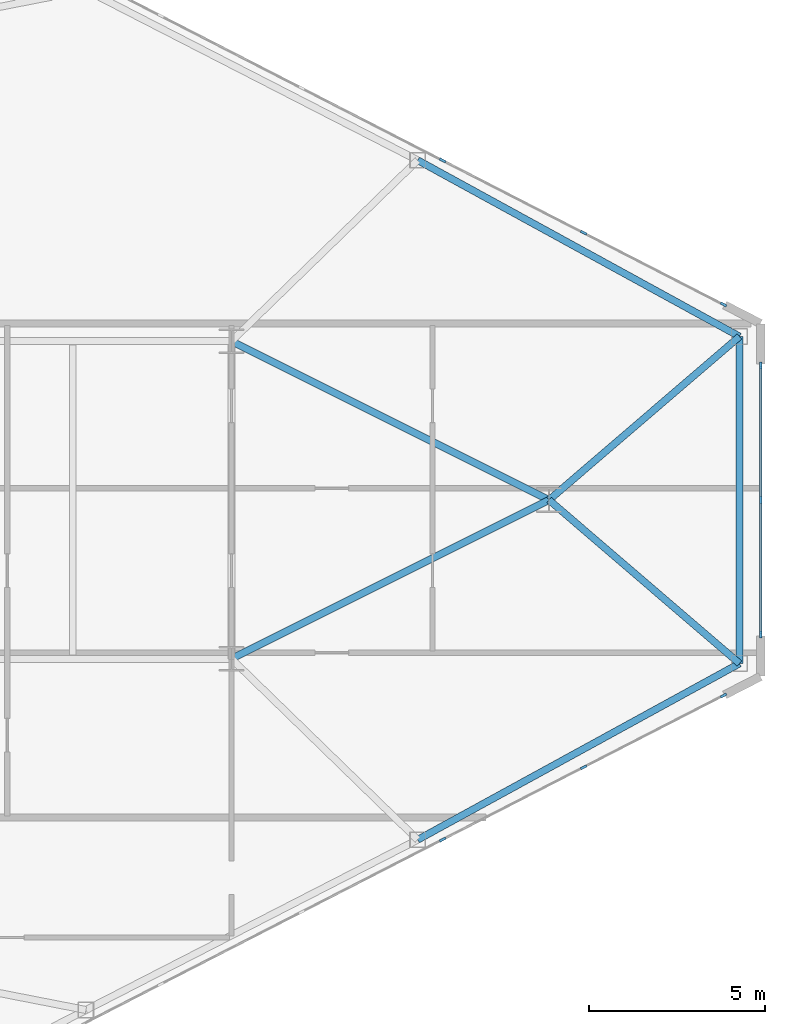
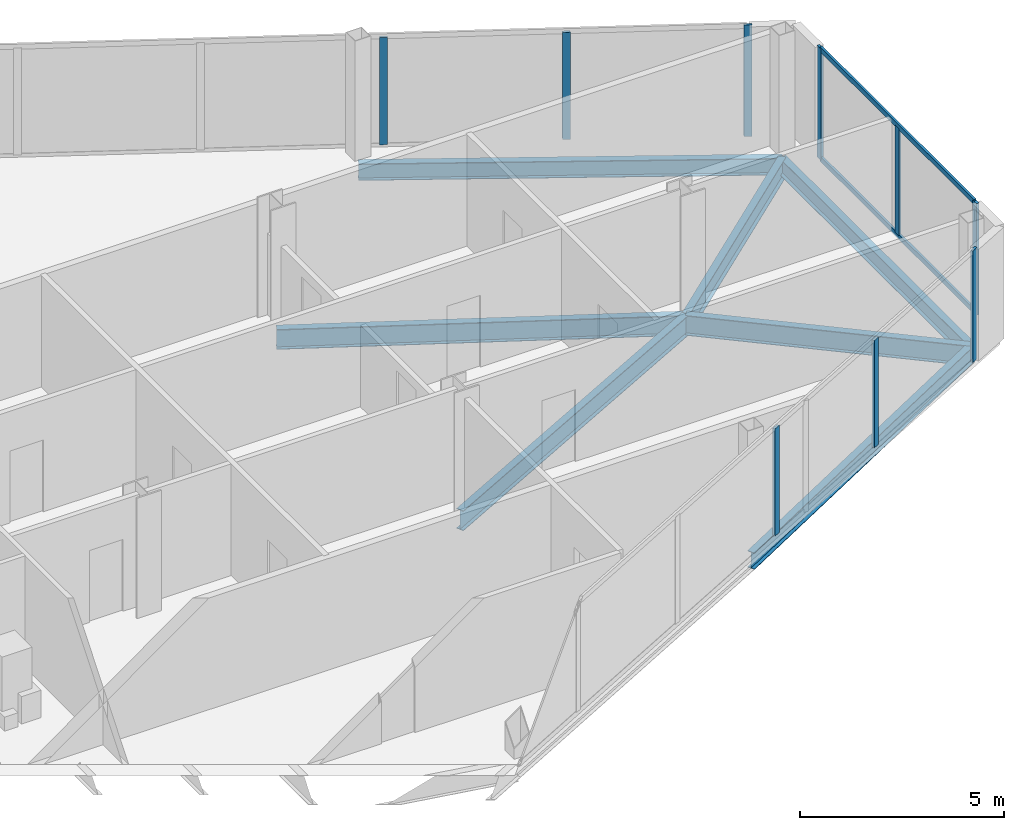
# One storey, part 13 of 23: 11 members, 7 beams, 3 elements without a shape of their own.
"""IFC4 building model written with IfcOpenShell, lengths in metres."""

from ifc_helpers import new_model, si_unit, direction, frame, origin, origin_2d, place, context, subcontext, project, spatial, rectangle, i_section, extrude, source, transform, mapped, material, layer, layer_set, material_profile, profile_set, type_object, type_shapes, element, aggregate, save


model = new_model("IFC4")

# Units and contexts
model_context = context("Model", 3, precision=1e-05, world=origin(), true_north=direction((0.0, 1.0)))
body_context = subcontext(model_context, "Body", "Model", "MODEL_VIEW")
ifc_project = project(units=[si_unit("LENGTHUNIT", "METRE"), si_unit("AREAUNIT", "SQUARE_METRE"), si_unit("VOLUMEUNIT", "CUBIC_METRE"), si_unit("PLANEANGLEUNIT", "RADIAN"), si_unit("MASSUNIT", "GRAM", prefix="KILO")], contexts=[model_context])

# Site, building, storey
site_placement = place(None, origin())
site = spatial("IfcSite", under=ifc_project, at=site_placement, CompositionType="ELEMENT")
building_placement = place(site_placement, origin())
building = spatial("IfcBuilding", under=site, at=building_placement, Name="Seokmaru Belvedere", CompositionType="ELEMENT")
storey_placement = place(building_placement, frame((0.0, 0.0, 132.0)))
storey = spatial("IfcBuildingStorey", under=building, at=storey_placement, Name="L35", CompositionType="ELEMENT", Elevation=132.0)

# Beams
ifc_material_1 = material(Name="Steel SM355 (355 MPa)", Category="steel")
ifc_material_profile_1 = material_profile(ifc_material_1, i_section(OverallWidth=0.199951171875, OverallDepth=0.60009765625, WebThickness=0.010986328125, FlangeThickness=0.01708984375, at=origin_2d()), Name="H-600x200x11x17")
ifc_profile_set_1 = profile_set([ifc_material_profile_1], Name="Steel SM355 (355 MPa)")
beam_type_1 = type_object("IfcBeamType", Name="Primary Floor Girder H-600", PredefinedType="BEAM", material=ifc_profile_set_1)
shared_shape_1 = source(origin(), body_context, "Body", "SweptSolid", [
    extrude(i_section(OverallWidth=0.199951171875, OverallDepth=0.60009765625, WebThickness=0.010986328125, FlangeThickness=0.01708984375, at=origin_2d()), origin(), (0.0, 0.0, 1.0), 10.062255859375),
])
for number, where, z_axis, x_axis, name in (
    (1, (54.5, -4.5, -0.52001953125), (0.894427191, 0.4472135955, 0.0), (-0.4472135955, 0.894427191, 0.0), "L35 E Apex Converging Girder 1"),
    (2, (54.5, 4.5, -0.52001953125), (0.894427191, -0.4472135955, 0.0), (0.4472135955, 0.894427191, 0.0), "L35 E Apex Converging Girder 2"),
):
    element("IfcBeam", number, at=place(storey_placement, frame(where, z_axis=z_axis, x_axis=x_axis)), inside=storey, type_object=beam_type_1, Name=name, PredefinedType="BEAM", context=body_context, shape_type="MappedRepresentation", body=[
        mapped(shared_shape_1, transform((0.0, 0.0, 0.0), scale=1.0)),
    ])
ifc_material_profile_2 = material_profile(ifc_material_1, i_section(OverallWidth=0.199951171875, OverallDepth=0.5, WebThickness=0.010009765625, FlangeThickness=0.01611328125, at=origin_2d()), Name="H-500x200x10x16")
ifc_profile_set_2 = profile_set([ifc_material_profile_2], Name="Steel SM355 (355 MPa)")
beam_type_2 = type_object("IfcBeamType", Name="Perimeter Spandrel Beam H-500", PredefinedType="SPANDREL", material=ifc_profile_set_2)
shared_shape_2 = source(origin(), body_context, "Body", "SweptSolid", [
    extrude(i_section(OverallWidth=0.199951171875, OverallDepth=0.5, WebThickness=0.010009765625, FlangeThickness=0.01611328125, at=origin_2d()), origin(), (0.0, 0.0, 1.0), 10.399658203125),
])
for number, where, z_axis, x_axis, name in (
    (3, (59.778564453125, -9.62890625, -0.469970703125), (0.877082374422, 0.480339992587, 0.0), (-0.480339992587, 0.877082374422, 0.0), "L35 E Faceted Flank Spandrel S-4"),
    (4, (59.778564453125, 9.62890625, -0.469970703125), (0.877082374422, -0.480339992587, 0.0), (0.480339992587, 0.877082374422, 0.0), "L35 E Faceted Flank Spandrel N-4"),
):
    element("IfcBeam", number, at=place(storey_placement, frame(where, z_axis=z_axis, x_axis=x_axis)), inside=storey, type_object=beam_type_2, Name=name, PredefinedType="SPANDREL", context=body_context, shape_type="MappedRepresentation", body=[
        mapped(shared_shape_2, transform((0.0, 0.0, 0.0), scale=1.0)),
    ])
shared_shape_3 = source(origin(), body_context, "Body", "SweptSolid", [
    extrude(i_section(OverallWidth=0.199951171875, OverallDepth=0.5, WebThickness=0.010009765625, FlangeThickness=0.01611328125, at=origin_2d()), origin(), (0.0, 0.0, 1.0), 9.26708984375),
])
type_shapes(beam_type_2, [shared_shape_2, shared_shape_3])
beam_placement = place(storey_placement, frame((68.89990234375, -4.633544921875, -0.469970703125), z_axis=(0.0, 1.0, 0.0), x_axis=(-1.0, 0.0, 0.0)))
element("IfcBeam", 5, at=beam_placement, inside=storey, type_object=beam_type_2, Name="L35 E Faceted Apex Spandrel", PredefinedType="SPANDREL", context=body_context, shape_type="MappedRepresentation", body=[
    mapped(shared_shape_3, transform((0.0, 0.0, 0.0), scale=1.0)),
])
shared_shape_4 = source(origin(), body_context, "Body", "SweptSolid", [
    extrude(i_section(OverallWidth=0.199951171875, OverallDepth=0.60009765625, WebThickness=0.010986328125, FlangeThickness=0.01708984375, at=origin_2d()), origin(), (0.0, 0.0, 1.0), 7.115478515625),
])
type_shapes(beam_type_1, [shared_shape_1, shared_shape_4])
for number, where, z_axis, x_axis, name in (
    (6, (68.89990234375, -4.633544921875, -0.52001953125), (-0.758905301881, 0.651201000289, 0.0), (-0.651201000289, -0.758905301881, 0.0), "L35 E Apex Radial Floor Girder 1"),
    (7, (68.89990234375, 4.633544921875, -0.52001953125), (-0.758905301881, -0.651201000289, 0.0), (0.651201000289, -0.758905301881, 0.0), "L35 E Apex Radial Floor Girder 2"),
):
    element("IfcBeam", number, at=place(storey_placement, frame(where, z_axis=z_axis, x_axis=x_axis)), inside=storey, type_object=beam_type_1, Name=name, PredefinedType="BEAM", context=body_context, shape_type="MappedRepresentation", body=[
        mapped(shared_shape_4, transform((0.0, 0.0, 0.0), scale=1.0)),
    ])

# Curtain wall, member
ifc_material_2 = material(Name="Bronze Triple Insulating Glass", Category="glass")
ifc_layer = layer(ifc_material_2, 0.195068359375)
ifc_layer_set = layer_set([ifc_layer], Name="Bronze Triple Insulating Glass")
curtain_wall_type = type_object("IfcCurtainWallType", Name="Sky-Lobby and Mid-Rise Curtain Wall System CW-4", PredefinedType="NOTDEFINED", material=ifc_layer_set)
curtain_wall_1_placement = place(storey_placement, origin())
curtain_wall_1 = element("IfcCurtainWall", 8, at=curtain_wall_1_placement, inside=storey, type_object=curtain_wall_type, Name="L35 Curtain Wall EF1", PredefinedType="NOTDEFINED")
ifc_material_3 = material(Name="Anodised Bronze Aluminium", Category="aluminium")
ifc_material_profile_3 = material_profile(ifc_material_3, rectangle(XDim=0.070068359375, YDim=0.195068359375, at=origin_2d()), Name="CW-M-70x195")
ifc_profile_set_3 = profile_set([ifc_material_profile_3], Name="Anodised Bronze Aluminium")
member_type_1 = type_object("IfcMemberType", Name="Bronze Unitised Mullion 70x195", PredefinedType="MULLION", material=ifc_profile_set_3)
shared_shape_5 = source(origin(), body_context, "Body", "SweptSolid", [
    extrude(rectangle(XDim=0.070068359375, YDim=0.195068359375, at=origin_2d()), origin(), (0.0, 0.0, 1.0), 3.340087890625),
])
member_1_placement = place(storey_placement, frame((68.44580078125, -5.541015625, 0.0), z_axis=(0.0, 0.0, 1.0), x_axis=(-0.456554528263, 0.889695432562, 0.0)))
member_1 = element("IfcMember", 9, at=member_1_placement, type_object=member_type_1, Name="CW:L35:EF1 Mullion 10", PredefinedType="MULLION", context=body_context, shape_type="MappedRepresentation", body=[
    mapped(shared_shape_5, transform((0.0, 0.0, 0.0), scale=1.0)),
])

# Curtain wall, members
curtain_wall_2_placement = place(storey_placement, origin())
curtain_wall_2 = element("IfcCurtainWall", 10, at=curtain_wall_2_placement, inside=storey, type_object=curtain_wall_type, Name="L35 Curtain Wall EF2", PredefinedType="NOTDEFINED")
member_2_placement = place(storey_placement, frame((69.5, -3.81494140625, 0.0), z_axis=(0.0, 0.0, 1.0), x_axis=(-1.0, 0.0, 0.0)))
member_2 = element("IfcMember", 11, at=member_2_placement, type_object=member_type_1, Name="CW:L35:EF2 Mullion 1", PredefinedType="MULLION", context=body_context, shape_type="MappedRepresentation", body=[
    mapped(shared_shape_5, transform((0.0, 0.0, 0.0), scale=1.0)),
])
member_3_placement = place(storey_placement, frame((69.5, 3.81494140625, 0.0), z_axis=(0.0, 0.0, 1.0), x_axis=(-1.0, 0.0, 0.0)))
member_3 = element("IfcMember", 12, at=member_3_placement, type_object=member_type_1, Name="CW:L35:EF2 Mullion 3", PredefinedType="MULLION", context=body_context, shape_type="MappedRepresentation", body=[
    mapped(shared_shape_5, transform((0.0, 0.0, 0.0), scale=1.0)),
])

# Curtain wall, member
curtain_wall_3_placement = place(storey_placement, origin())
curtain_wall_3 = element("IfcCurtainWall", 13, at=curtain_wall_3_placement, inside=storey, type_object=curtain_wall_type, Name="L35 Curtain Wall EF3", PredefinedType="NOTDEFINED")
member_4_placement = place(storey_placement, frame((68.44580078125, 5.541015625, 0.0), z_axis=(0.0, 0.0, 1.0), x_axis=(-0.456554528263, -0.889695432562, 0.0)))
member_4 = element("IfcMember", 14, at=member_4_placement, type_object=member_type_1, Name="CW:L35:EF3 Mullion 1", PredefinedType="MULLION", context=body_context, shape_type="MappedRepresentation", body=[
    mapped(shared_shape_5, transform((0.0, 0.0, 0.0), scale=1.0)),
])

# Member
ifc_material_profile_4 = material_profile(ifc_material_3, rectangle(XDim=0.06494140625, YDim=0.14990234375, at=origin_2d()), Name="CW-T-65x150")
ifc_profile_set_4 = profile_set([ifc_material_profile_4], Name="Anodised Bronze Aluminium")
member_type_2 = type_object("IfcMemberType", Name="Bronze Unitised Transom 65x150", PredefinedType="USERDEFINED", material=ifc_profile_set_4)
shared_shape_6 = source(origin(), body_context, "Body", "SweptSolid", [
    extrude(rectangle(XDim=0.06494140625, YDim=0.14990234375, at=origin_2d()), origin(), (0.0, 0.0, 1.0), 7.56005859375),
])
type_shapes(member_type_2, [shared_shape_6])
member_5_placement = place(storey_placement, frame((69.5, -3.780029296875, 0.032470703125), z_axis=(0.0, 1.0, 0.0), x_axis=(-1.0, 0.0, 0.0)))
member_5 = element("IfcMember", 15, at=member_5_placement, type_object=member_type_2, Name="CW:L35:EF2 Continuous Transom 1", ObjectType="TRANSOM", PredefinedType="USERDEFINED", context=body_context, shape_type="MappedRepresentation", body=[
    mapped(shared_shape_6, transform((0.0, 0.0, 0.0), scale=1.0)),
])

member_6_placement = place(storey_placement, frame((69.5, -3.780029296875, 3.3076171875), z_axis=(0.0, 1.0, 0.0), x_axis=(-1.0, 0.0, 0.0)))
member_6 = element("IfcMember", 16, at=member_6_placement, type_object=member_type_2, Name="CW:L35:EF2 Continuous Transom 2", ObjectType="TRANSOM", PredefinedType="USERDEFINED", context=body_context, shape_type="MappedRepresentation", body=[
    mapped(shared_shape_6, transform((0.0, 0.0, 0.0), scale=1.0)),
])

shared_shape_7 = source(origin(), body_context, "Body", "SweptSolid", [
    extrude(rectangle(XDim=0.070068359375, YDim=0.195068359375, at=origin_2d()), origin(), (0.0, 0.0, 1.0), 3.2099609375),
])
type_shapes(member_type_1, [shared_shape_5, shared_shape_7])
member_7_placement = place(storey_placement, frame((60.4873046875, -9.625, 0.06494140625), z_axis=(0.0, 0.0, 1.0), x_axis=(-0.456554528263, 0.889695432562, 0.0)))
member_7 = element("IfcMember", 17, at=member_7_placement, type_object=member_type_1, Name="CW:L35:EF1 Mullion 8", PredefinedType="MULLION", context=body_context, shape_type="MappedRepresentation", body=[
    mapped(shared_shape_7, transform((0.0, 0.0, 0.0), scale=1.0)),
])

member_8_placement = place(storey_placement, frame((64.48193359375, -7.574951171875, 0.06494140625), z_axis=(0.0, 0.0, 1.0), x_axis=(-0.456554528263, 0.889695432562, 0.0)))
member_8 = element("IfcMember", 18, at=member_8_placement, type_object=member_type_1, Name="CW:L35:EF1 Mullion 9", PredefinedType="MULLION", context=body_context, shape_type="MappedRepresentation", body=[
    mapped(shared_shape_7, transform((0.0, 0.0, 0.0), scale=1.0)),
])

aggregate(curtain_wall_1, [member_7, member_8, member_1])

member_9_placement = place(storey_placement, frame((69.5, 0.0, 0.06494140625), z_axis=(0.0, 0.0, 1.0), x_axis=(-1.0, 0.0, 0.0)))
member_9 = element("IfcMember", 19, at=member_9_placement, type_object=member_type_1, Name="CW:L35:EF2 Mullion 2", PredefinedType="MULLION", context=body_context, shape_type="MappedRepresentation", body=[
    mapped(shared_shape_7, transform((0.0, 0.0, 0.0), scale=1.0)),
])

aggregate(curtain_wall_2, [member_2, member_9, member_3, member_5, member_6])

member_10_placement = place(storey_placement, frame((64.48193359375, 7.574951171875, 0.06494140625), z_axis=(0.0, 0.0, 1.0), x_axis=(-0.456554528263, -0.889695432562, 0.0)))
member_10 = element("IfcMember", 20, at=member_10_placement, type_object=member_type_1, Name="CW:L35:EF3 Mullion 2", PredefinedType="MULLION", context=body_context, shape_type="MappedRepresentation", body=[
    mapped(shared_shape_7, transform((0.0, 0.0, 0.0), scale=1.0)),
])

member_11_placement = place(storey_placement, frame((60.4873046875, 9.625, 0.06494140625), z_axis=(0.0, 0.0, 1.0), x_axis=(-0.456554528263, -0.889695432562, 0.0)))
member_11 = element("IfcMember", 21, at=member_11_placement, type_object=member_type_1, Name="CW:L35:EF3 Mullion 3", PredefinedType="MULLION", context=body_context, shape_type="MappedRepresentation", body=[
    mapped(shared_shape_7, transform((0.0, 0.0, 0.0), scale=1.0)),
])

aggregate(curtain_wall_3, [member_4, member_10, member_11])

save(model, "model.ifc")
